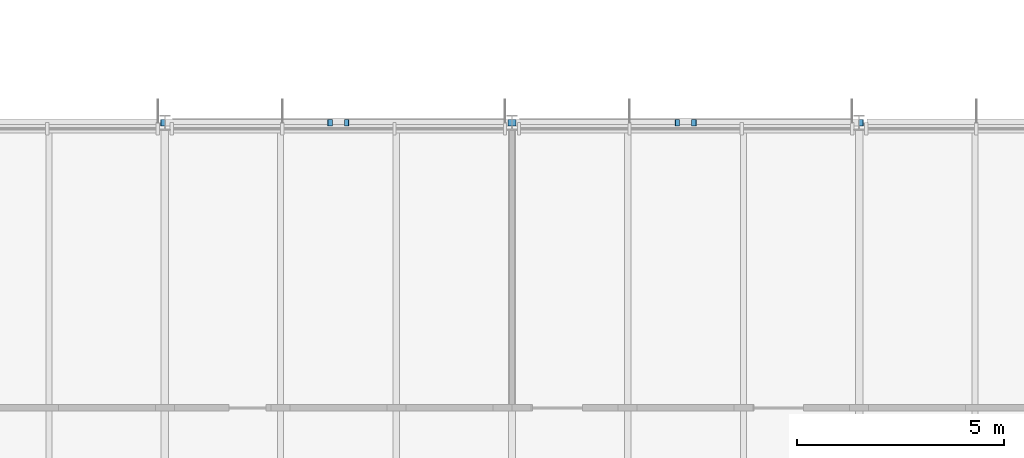
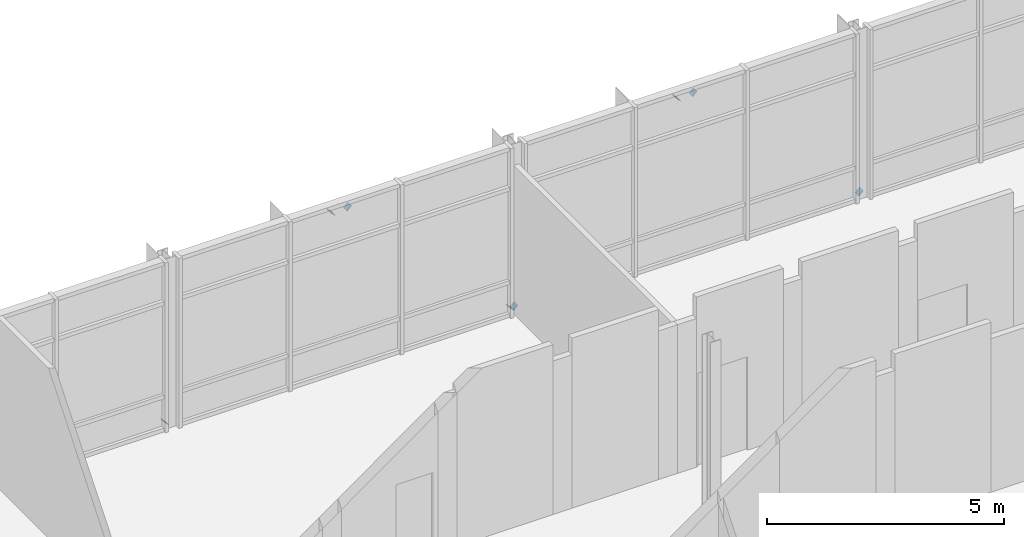
# One storey, part 68 of 76: 8 discrete accessories.
"""IFC4 building model written with IfcOpenShell, lengths in metres."""

import ifcopenshell
import ifcopenshell.guid

model = None  # the IFC model being written
_history = None  # IfcOwnerHistory: only IFC2X3 demands one
_inside = {}  # id of a spatial element -> (the spatial element, [elements in it])
_under = {}  # id of a project, library or spatial element -> (it, [spatial elements below it])
_declared = {}  # id of a project -> (the project, [libraries it declares])
_typed = {}  # id of a type object -> (the type object, [elements of that type])
_made_of = {}  # id of a material, layer set ... -> (it, [elements and type objects made of it])


def new_model(schema):
    """Start an empty IFC model of exactly this schema.

    Asked for "IFC4X3", IfcOpenShell would pick the latest addendum, in which some entities
    have other attributes; the version numbers below select the first issue.
    IFC2X3 requires an IfcOwnerHistory on every rooted entity: one is made here for all.
    """
    global model, _history
    if schema == "IFC4X3":
        model = ifcopenshell.file(schema_version=(4, 3, 0, 0))
    else:
        model = ifcopenshell.file(schema=schema)
    _inside.clear()
    _under.clear()
    _declared.clear()
    _typed.clear()
    _made_of.clear()
    _history = None
    if model.schema == "IFC2X3":
        org = make("IfcOrganization", Name="unknown")
        user = make(
            "IfcPersonAndOrganization",
            ThePerson=make("IfcPerson", FamilyName="unknown"),
            TheOrganization=org,
        )
        app = make(
            "IfcApplication",
            ApplicationDeveloper=org,
            Version="unknown",
            ApplicationFullName="unknown",
            ApplicationIdentifier="unknown",
        )
        _history = make(
            "IfcOwnerHistory",
            OwningUser=user,
            OwningApplication=app,
            ChangeAction="ADDED",
            CreationDate=0,
        )
    return model


def make(cls, **values):
    """One entity of the class cls with the attributes given. An attribute that is None is left unset."""
    return model.create_entity(
        cls, **{name: value for name, value in values.items() if value is not None}
    )


def rooted(cls, **values):
    """An entity with a GlobalId (a new one), such as an element, a storey or a relation."""
    return make(cls, GlobalId=ifcopenshell.guid.new(), OwnerHistory=_history, **values)


def si_unit(unit_type, name, prefix=None):
    """IfcSIUnit, for example si_unit("LENGTHUNIT", "METRE", prefix="MILLI")."""
    return make("IfcSIUnit", UnitType=unit_type, Prefix=prefix, Name=name)


def assignment(units):
    """IfcUnitAssignment: the units of a project."""
    return None if units is None else make("IfcUnitAssignment", Units=units)


def point(xyz):
    """IfcCartesianPoint."""
    return None if xyz is None else make("IfcCartesianPoint", Coordinates=xyz)


def direction(xyz):
    """IfcDirection."""
    return None if xyz is None else make("IfcDirection", DirectionRatios=xyz)


def frame(location, z_axis=None, x_axis=None):
    """IfcAxis2Placement3D, a coordinate frame: its origin and axes. An axis left out is left unset."""
    return make(
        "IfcAxis2Placement3D",
        Location=point(location),
        Axis=direction(z_axis),
        RefDirection=direction(x_axis),
    )


def frame_2d(location, x_axis=None):
    """IfcAxis2Placement2D, a coordinate frame in the plane: its origin and x axis."""
    return make(
        "IfcAxis2Placement2D", Location=point(location), RefDirection=direction(x_axis)
    )


def origin():
    """The frame at (0, 0, 0) with its axes left unset."""
    return frame((0.0, 0.0, 0.0))


def origin_2d():
    """The frame at (0, 0) in the plane with its x axis left unset."""
    return frame_2d((0.0, 0.0))


def place(relative_to, where):
    """IfcLocalPlacement: puts the frame where relative to a parent placement (None: the world)."""
    return make(
        "IfcLocalPlacement", PlacementRelTo=relative_to, RelativePlacement=where
    )


def context(
    kind, dimensions, precision=None, world=None, true_north=None, identifier=None
):
    """IfcGeometricRepresentationContext, for example the 3D "Model" context."""
    return make(
        "IfcGeometricRepresentationContext",
        ContextIdentifier=identifier,
        ContextType=kind,
        CoordinateSpaceDimension=dimensions,
        Precision=precision,
        WorldCoordinateSystem=world,
        TrueNorth=true_north,
    )


def subcontext(parent, identifier, kind, view, scale=None):
    """IfcGeometricRepresentationSubContext, for example "Body" below "Model"."""
    return make(
        "IfcGeometricRepresentationSubContext",
        ContextIdentifier=identifier,
        ContextType=kind,
        ParentContext=parent,
        TargetScale=scale,
        TargetView=view,
    )


def project(units=None, contexts=None):
    """IfcProject with its units and contexts."""
    return rooted(
        "IfcProject",
        Name="project",
        RepresentationContexts=contexts,
        UnitsInContext=assignment(units),
    )


def spatial(cls, under=None, at=None, **own):
    """A site, building, storey or space (cls), placed at a placement, below another one or the project."""
    s = rooted(cls, ObjectPlacement=at, **own)
    if under is not None:
        _under.setdefault(under.id(), (under, []))[1].append(s)
    return s


def profile(cls, at=None, kind="AREA", **sizes):
    """A parametric profile (cls). Its sizes go by their IFC names, for example OverallWidth=200.0."""
    return make(cls, ProfileType=kind, Position=at, **sizes)


def rectangle(**sizes):
    """IfcRectangleProfileDef."""
    return profile("IfcRectangleProfileDef", **sizes)


def extrude(swept, where, along, depth):
    """IfcExtrudedAreaSolid: the profile swept, set in the frame where, extruded along a direction by depth."""
    return make(
        "IfcExtrudedAreaSolid",
        SweptArea=swept,
        Position=where,
        ExtrudedDirection=direction(along),
        Depth=depth,
    )


def shape(context_of_items, identifier, shape_type, items):
    """IfcShapeRepresentation: the items that make up one representation, for example the "Body"."""
    return make(
        "IfcShapeRepresentation",
        ContextOfItems=context_of_items,
        RepresentationIdentifier=identifier,
        RepresentationType=shape_type,
        Items=items,
    )


def material(Name=None, Category=None):
    """IfcMaterial."""
    return make("IfcMaterial", Name=Name, Category=Category)


def made_of(thing, what):
    """Note that an element or type object is made of a material, layer set ...; save() writes the relation."""
    if what is not None:
        _made_of.setdefault(what.id(), (what, []))[1].append(thing)
    return thing


def element(
    cls,
    number,
    at=None,
    inside=None,
    cuts=None,
    type_object=None,
    material=None,
    context=None,
    identifier="Body",
    shape_type=None,
    held_by="IfcProductDefinitionShape",
    body=None,
    shapes=None,
    **own,
):
    """One element of the class cls, such as IfcWall. Its Tag is "e" and its number.

    at: its placement. inside: the storey or other place that contains it. cuts: it is an
    opening in that element (IfcRelVoidsElement). A single representation is given by context,
    identifier, shape_type and body (its items); several are given by shapes. held_by: the class
    of the entity that holds the representations. save() writes the other relations.
    """
    e = rooted(cls, Tag="e%d" % number, ObjectPlacement=at, **own)
    if body is not None:
        shapes = [shape(context, identifier, shape_type, body)]
    if shapes is not None:
        e.Representation = make(held_by, Representations=shapes)
    if inside is not None:
        _inside.setdefault(inside.id(), (inside, []))[1].append(e)
    if cuts is not None:
        rooted(
            "IfcRelVoidsElement", RelatingBuildingElement=cuts, RelatedOpeningElement=e
        )
    if type_object is not None:
        _typed.setdefault(type_object.id(), (type_object, []))[1].append(e)
    return made_of(e, material)


def aggregate(whole, parts):
    """IfcRelAggregates: a whole, such as a stair, and the parts it consists of."""
    return rooted("IfcRelAggregates", RelatingObject=whole, RelatedObjects=parts)


def save(model, path):
    """Write the relations noted so far, then the file.

    IfcRelAggregates (storeys below a building ...), IfcRelContainedInSpatialStructure (elements
    in a storey), IfcRelDefinesByType, IfcRelAssociatesMaterial and IfcRelDeclares: one each for
    every whole, place, type object, material and project.
    """
    for whole, parts in _under.values():
        aggregate(whole, parts)
    for where, things in _inside.values():
        rooted(
            "IfcRelContainedInSpatialStructure",
            RelatedElements=things,
            RelatingStructure=where,
        )
    for kind, things in _typed.values():
        rooted("IfcRelDefinesByType", RelatedObjects=things, RelatingType=kind)
    for what, things in _made_of.values():
        rooted("IfcRelAssociatesMaterial", RelatedObjects=things, RelatingMaterial=what)
    for by, libraries in _declared.values():
        rooted("IfcRelDeclares", RelatingContext=by, RelatedDefinitions=libraries)
    model.write(path)


model = new_model("IFC4")

# Units and contexts
model_context = context("Model", 3, precision=1e-05, world=origin(), true_north=direction((0.0, 1.0)))
body_context = subcontext(model_context, "Body", "Model", "MODEL_VIEW")
ifc_project = project(units=[si_unit("LENGTHUNIT", "METRE"), si_unit("AREAUNIT", "SQUARE_METRE"), si_unit("VOLUMEUNIT", "CUBIC_METRE"), si_unit("PLANEANGLEUNIT", "RADIAN"), si_unit("MASSUNIT", "GRAM", prefix="KILO")], contexts=[model_context])

# Site, building, storey
site_placement = place(None, origin())
site = spatial("IfcSite", under=ifc_project, at=site_placement, CompositionType="ELEMENT")
building_placement = place(site_placement, origin())
building = spatial("IfcBuilding", under=site, at=building_placement, Name="Hlaing Beacon Police Headquarters", CompositionType="ELEMENT")
storey_placement = place(building_placement, frame((0.0, 0.0, 18.89990234375)))
storey = spatial("IfcBuildingStorey", under=building, at=storey_placement, Name="L04", CompositionType="ELEMENT", Elevation=18.89990234375)

# Discrete accessories
ifc_material = material(Name="Steel ASTM A572 Grade 50", Category="steel")
for number, where, z_axis, x_axis, name in (
    (1, (109.159423828125, 92.39990234375, 0.058349609375), (-0.713429708771, 0.0, -0.700726801716), (0.0, -1.0, 0.0), "Gusset plate GP-225"),
    (2, (113.195556640625, 92.39990234375, 4.02294921875), (0.713429708771, 0.0, 0.700726801716), (0.0, 1.0, 0.0), "Gusset plate GP-226"),
    (3, (117.640625, 92.39990234375, 0.058349609375), (0.713429708771, 0.0, -0.700726801716), (0.0, 1.0, 0.0), "Gusset plate GP-227"),
    (4, (113.6044921875, 92.39990234375, 4.02294921875), (-0.713429708771, 0.0, 0.700726801716), (0.0, -1.0, 0.0), "Gusset plate GP-228"),
    (5, (117.559326171875, 92.39990234375, 0.058349609375), (-0.713450851379, 0.0, -0.700705275182), (0.0, -1.0, 0.0), "Gusset plate GP-229"),
    (6, (121.595947265625, 92.39990234375, 4.02294921875), (0.713450851379, 0.0, 0.700705275182), (0.0, 1.0, 0.0), "Gusset plate GP-230"),
    (7, (126.04052734375, 92.39990234375, 0.058349609375), (0.713429708771, 0.0, -0.700726801716), (0.0, 1.0, 0.0), "Gusset plate GP-231"),
    (8, (122.00439453125, 92.39990234375, 4.02294921875), (-0.713429708771, 0.0, 0.700726801716), (0.0, -1.0, 0.0), "Gusset plate GP-232"),
):
    element("IfcDiscreteAccessory", number, at=place(storey_placement, frame(where, z_axis=z_axis, x_axis=x_axis)), inside=storey, material=ifc_material, Name=name, PredefinedType="BRACKET", context=body_context, shape_type="SweptSolid", body=[
        extrude(rectangle(XDim=0.15234375, YDim=0.15234375, at=origin_2d()), origin(), (0.0, 0.0, 1.0), 0.011962890625),
    ])

save(model, "model.ifc")
